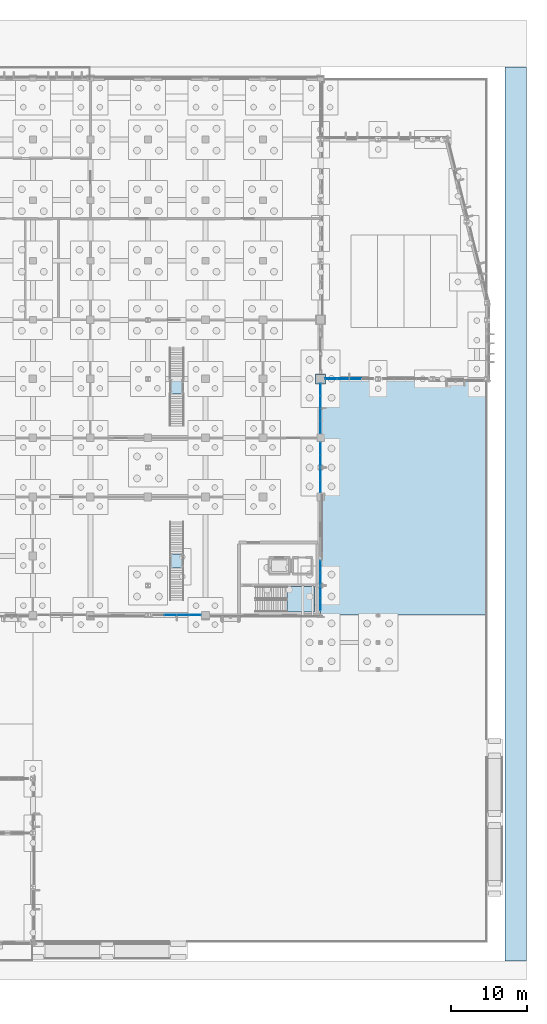
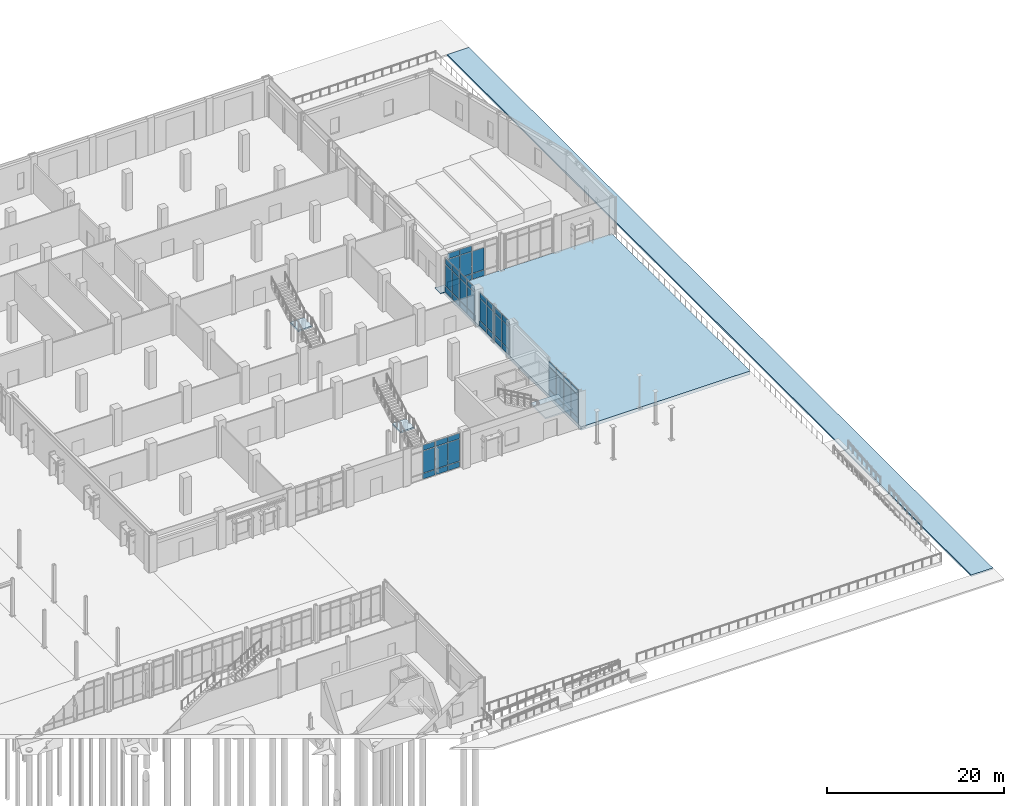
# One storey, part 57 of 94: 54 plates, 5 slabs, 13 elements without a shape of their own.
"""IFC4 building model written with IfcOpenShell, lengths in metres."""

from ifc_helpers import new_model, si_unit, direction, frame, origin, origin_2d, place, context, subcontext, project, spatial, polyline, rectangle, outline, extrude, material, layer, layer_set, type_object, element, aggregate, save


model = new_model("IFC4")

# Units and contexts
model_context = context("Model", 3, precision=1e-05, world=origin(), true_north=direction((0.0, 1.0)))
body_context = subcontext(model_context, "Body", "Model", "MODEL_VIEW")
ifc_project = project(units=[si_unit("LENGTHUNIT", "METRE"), si_unit("AREAUNIT", "SQUARE_METRE"), si_unit("VOLUMEUNIT", "CUBIC_METRE"), si_unit("PLANEANGLEUNIT", "RADIAN"), si_unit("MASSUNIT", "GRAM", prefix="KILO")], contexts=[model_context])

# Site, building, storey
site_placement = place(None, origin())
site = spatial("IfcSite", under=ifc_project, at=site_placement, CompositionType="ELEMENT")
building_placement = place(site_placement, origin())
building = spatial("IfcBuilding", under=site, at=building_placement, Name="Vervanel Yard Central Library", CompositionType="ELEMENT")
storey_placement = place(building_placement, origin())
storey = spatial("IfcBuildingStorey", under=building, at=storey_placement, Name="L00", CompositionType="ELEMENT", Elevation=0.0)

# Curtain wall, plates
ifc_material_1 = material(Name="Thermally broken anodized aluminium 6063-T6", Category="aluminium")
curtain_wall_type_1 = type_object("IfcCurtainWallType", Name="Auditorium Foyer Curtain Wall", PredefinedType="NOTDEFINED", material=ifc_material_1)
curtain_wall_1_placement = place(storey_placement, origin())
curtain_wall_1 = element("IfcCurtainWall", 1, at=curtain_wall_1_placement, inside=storey, type_object=curtain_wall_type_1, Name="L00 Auditorium Foyer Curtain Wall CWR-L00-148", PredefinedType="NOTDEFINED")
ifc_material_2 = material(Name="Double low-E laminated solar-control glass", Category="glass")
ifc_layer_1 = layer(ifc_material_2, 0.035888671875, Category="glass")
ifc_layer_set_1 = layer_set([ifc_layer_1], Name="Double low-E laminated solar-control glass")
plate_type_1 = type_object("IfcPlateType", Name="Auditorium Foyer Tinted Panel 36", PredefinedType="CURTAIN_PANEL", material=ifc_layer_set_1)
plate_1_placement = place(storey_placement, frame((147.38623046875, 74.39990234375, 0.88232421875), z_axis=(0.0, 0.0, 1.0), x_axis=(1.0, 0.0, 0.0)))
plate_1 = element("IfcPlate", 2, at=plate_1_placement, type_object=plate_type_1, Name="CWR-L00-148 Panel B1-2", PredefinedType="CURTAIN_PANEL", context=body_context, shape_type="SweptSolid", body=[
    extrude(rectangle(XDim=1.5224609375, YDim=0.035888671875, at=origin_2d()), origin(), (0.0, 0.0, 1.0), 3.014892578125),
])
plate_2_placement = place(storey_placement, frame((147.38623046875, 74.39990234375, 3.962646484375), z_axis=(0.0, 0.0, 1.0), x_axis=(1.0, 0.0, 0.0)))
plate_2 = element("IfcPlate", 3, at=plate_2_placement, type_object=plate_type_1, Name="CWR-L00-148 Panel B1-3", PredefinedType="CURTAIN_PANEL", context=body_context, shape_type="SweptSolid", body=[
    extrude(rectangle(XDim=1.5224609375, YDim=0.035888671875, at=origin_2d()), origin(), (0.0, 0.0, 1.0), 0.75244140625),
])
plate_3_placement = place(storey_placement, frame((148.9736328125, 74.39990234375, 0.88232421875), z_axis=(0.0, 0.0, 1.0), x_axis=(1.0, 0.0, 0.0)))
plate_3 = element("IfcPlate", 4, at=plate_3_placement, type_object=plate_type_1, Name="CWR-L00-148 Panel B2-2", PredefinedType="CURTAIN_PANEL", context=body_context, shape_type="SweptSolid", body=[
    extrude(rectangle(XDim=1.5224609375, YDim=0.035888671875, at=origin_2d()), origin(), (0.0, 0.0, 1.0), 3.014892578125),
])
plate_4_placement = place(storey_placement, frame((148.9736328125, 74.39990234375, 3.962646484375), z_axis=(0.0, 0.0, 1.0), x_axis=(1.0, 0.0, 0.0)))
plate_4 = element("IfcPlate", 5, at=plate_4_placement, type_object=plate_type_1, Name="CWR-L00-148 Panel B2-3", PredefinedType="CURTAIN_PANEL", context=body_context, shape_type="SweptSolid", body=[
    extrude(rectangle(XDim=1.5224609375, YDim=0.035888671875, at=origin_2d()), origin(), (0.0, 0.0, 1.0), 0.75244140625),
])

# Curtain wall, plate
curtain_wall_2_placement = place(storey_placement, origin())
curtain_wall_2 = element("IfcCurtainWall", 6, at=curtain_wall_2_placement, inside=storey, type_object=curtain_wall_type_1, Name="L00 Auditorium Foyer Curtain Wall CWR-L00-149", PredefinedType="NOTDEFINED")
plate_5_placement = place(storey_placement, frame((150.626220703125, 74.39990234375, 0.88232421875), z_axis=(0.0, 0.0, 1.0), x_axis=(1.0, 0.0, 0.0)))
plate_5 = element("IfcPlate", 7, at=plate_5_placement, type_object=plate_type_1, Name="CWR-L00-149 Panel B1-2", PredefinedType="CURTAIN_PANEL", context=body_context, shape_type="SweptSolid", body=[
    extrude(rectangle(XDim=1.5224609375, YDim=0.035888671875, at=origin_2d()), origin(), (0.0, 0.0, 1.0), 3.014892578125),
])

# Stair, slab
ifc_material_3 = material(Name="Concrete C40/50", Category="concrete")
stair_type_1 = type_object("IfcStairType", Name="Protected Core Dog-Leg Stair ST-05", PredefinedType="HALF_TURN_STAIR", material=ifc_material_3)
stair_1_placement = place(storey_placement, origin())
stair_1 = element("IfcStair", 8, at=stair_1_placement, inside=storey, type_object=stair_type_1, Name="L00 CORE-E Protected Exit Stair", PredefinedType="HALF_TURN_STAIR")
ifc_layer_2 = layer(ifc_material_3, 0.199951171875, Category="concrete")
ifc_layer_set_2 = layer_set([ifc_layer_2], Name="Concrete C40/50")
slab_type_1 = type_object("IfcSlabType", Name="Core Stair Concrete Landing Slab 200", PredefinedType="LANDING", material=ifc_layer_set_2)
slab_1_placement = place(storey_placement, frame((0.0, 0.0, 2.35009765625)))
slab_1 = element("IfcSlab", 9, at=slab_1_placement, type_object=slab_type_1, Name="ST-05 landing 1", PredefinedType="LANDING", context=body_context, shape_type="SweptSolid", body=[
    extrude(outline(polyline([(141.60009765625, 43.60009765625), (145.199951171875, 43.60009765625), (145.199951171875, 46.9599609375), (141.60009765625, 46.9599609375), (141.60009765625, 43.60009765625)])), origin(), (0.0, 0.0, 1.0), 0.199951171875),
])
aggregate(stair_1, [slab_1])

ifc_material_4 = material(Name="Concrete C45/55", Category="concrete")
stair_type_2 = type_object("IfcStairType", Name="Architectural Feature Straight Stair FS-ST-01", PredefinedType="STRAIGHT_RUN_STAIR", material=ifc_material_4)
stair_2_placement = place(storey_placement, origin())
stair_2 = element("IfcStair", 10, at=stair_2_placement, inside=storey, type_object=stair_type_2, Name="L00 Feature Stair FS-ST-01", PredefinedType="STRAIGHT_RUN_STAIR")
ifc_layer_3 = layer(ifc_material_4, 0.219970703125, Category="concrete")
ifc_layer_set_3 = layer_set([ifc_layer_3], Name="Concrete C45/55")
slab_type_2 = type_object("IfcSlabType", Name="Feature Stair Concrete Landing Slab 220", PredefinedType="LANDING", material=ifc_layer_set_3)
slab_2_placement = place(storey_placement, frame((0.0, 0.0, 2.330078125)))
slab_2 = element("IfcSlab", 11, at=slab_2_placement, type_object=slab_type_2, Name="FST-01-L00 Mid Landing 1", PredefinedType="LANDING", context=body_context, shape_type="SweptSolid", body=[
    extrude(outline(polyline([(126.10009765625, 49.39990234375), (127.89990234375, 49.39990234375), (127.89990234375, 51.300048828125), (126.10009765625, 51.300048828125), (126.10009765625, 49.39990234375)])), origin(), (0.0, 0.0, 1.0), 0.219970703125),
])
aggregate(stair_2, [slab_2])

stair_type_3 = type_object("IfcStairType", Name="Architectural Feature Straight Stair FS-ST-02", PredefinedType="STRAIGHT_RUN_STAIR", material=ifc_material_4)
stair_3_placement = place(storey_placement, origin())
stair_3 = element("IfcStair", 12, at=stair_3_placement, inside=storey, type_object=stair_type_3, Name="L00 Feature Stair FS-ST-02", PredefinedType="STRAIGHT_RUN_STAIR")
slab_3_placement = place(storey_placement, frame((0.0, 0.0, 2.330078125)))
slab_3 = element("IfcSlab", 13, at=slab_3_placement, type_object=slab_type_2, Name="FST-02-L00 Mid Landing 1", PredefinedType="LANDING", context=body_context, shape_type="SweptSolid", body=[
    extrude(outline(polyline([(126.080078125, 72.39990234375), (127.919921875, 72.39990234375), (127.919921875, 74.300048828125), (126.080078125, 74.300048828125), (126.080078125, 72.39990234375)])), origin(), (0.0, 0.0, 1.0), 0.219970703125),
])
aggregate(stair_3, [slab_3])

# Plate
ifc_material_5 = material(Name="Steel ASTM A572 Grade 50", Category="steel")
ifc_layer_4 = layer(ifc_material_5, 0.044921875, Category="steel")
ifc_layer_set_4 = layer_set([ifc_layer_4], Name="Steel ASTM A572 Grade 50")
plate_type_2 = type_object("IfcPlateType", Name="Mega-Column Base Plate 45", PredefinedType="SHEET", material=ifc_layer_set_4)
plate_6_placement = place(storey_placement, frame((146.0, 74.39990234375, 0.0), z_axis=(0.0, 0.0, 1.0), x_axis=(1.0, 0.0, 0.0)))
element("IfcPlate", 14, at=plate_6_placement, inside=storey, type_object=plate_type_2, Name="L00 Column Base Plate 45", PredefinedType="SHEET", context=body_context, shape_type="SweptSolid", body=[
    extrude(rectangle(XDim=1.300048828125, YDim=1.300048828125, at=origin_2d()), origin(), (0.0, 0.0, 1.0), 0.044921875),
])

# Curtain wall, plates
curtain_wall_type_2 = type_object("IfcCurtainWallType", Name="Reading Hall Full-Height Curtain Wall", PredefinedType="NOTDEFINED", material=ifc_material_1)
curtain_wall_3_placement = place(storey_placement, origin())
curtain_wall_3 = element("IfcCurtainWall", 15, at=curtain_wall_3_placement, inside=storey, type_object=curtain_wall_type_2, Name="L00 Reading Hall Full-Height Curtain Wall CWR-L00-058", PredefinedType="NOTDEFINED")
ifc_layer_5 = layer(ifc_material_2, 0.0380859375, Category="glass")
ifc_layer_set_5 = layer_set([ifc_layer_5], Name="Double low-E laminated solar-control glass")
plate_type_3 = type_object("IfcPlateType", Name="Reading Hall Acoustic Vision Panel 38", PredefinedType="CURTAIN_PANEL", material=ifc_layer_set_5)
plate_7_placement = place(storey_placement, frame((126.172607421875, 43.199951171875, 0.884765625), z_axis=(0.0, 0.0, 1.0), x_axis=(1.0, 0.0, 0.0)))
plate_7 = element("IfcPlate", 16, at=plate_7_placement, type_object=plate_type_3, Name="CWR-L00-058 Panel B2-2", PredefinedType="CURTAIN_PANEL", context=body_context, shape_type="SweptSolid", body=[
    extrude(rectangle(XDim=1.514892578125, YDim=0.0380859375, at=origin_2d()), origin(), (0.0, 0.0, 1.0), 3.010009765625),
])
plate_8_placement = place(storey_placement, frame((126.172607421875, 43.199951171875, 3.96484375), z_axis=(0.0, 0.0, 1.0), x_axis=(1.0, 0.0, 0.0)))
plate_8 = element("IfcPlate", 17, at=plate_8_placement, type_object=plate_type_3, Name="CWR-L00-058 Panel B2-3", PredefinedType="CURTAIN_PANEL", context=body_context, shape_type="SweptSolid", body=[
    extrude(rectangle(XDim=1.514892578125, YDim=0.0380859375, at=origin_2d()), origin(), (0.0, 0.0, 1.0), 0.7451171875),
])

curtain_wall_4_placement = place(storey_placement, origin())
curtain_wall_4 = element("IfcCurtainWall", 18, at=curtain_wall_4_placement, inside=storey, type_object=curtain_wall_type_2, Name="L00 Reading Hall Full-Height Curtain Wall CWR-L00-059", PredefinedType="NOTDEFINED")
plate_9_placement = place(storey_placement, frame((127.827392578125, 43.199951171875, 0.884765625), z_axis=(0.0, 0.0, 1.0), x_axis=(1.0, 0.0, 0.0)))
plate_9 = element("IfcPlate", 19, at=plate_9_placement, type_object=plate_type_3, Name="CWR-L00-059 Panel B1-2", PredefinedType="CURTAIN_PANEL", context=body_context, shape_type="SweptSolid", body=[
    extrude(rectangle(XDim=1.514892578125, YDim=0.0380859375, at=origin_2d()), origin(), (0.0, 0.0, 1.0), 3.010009765625),
])
plate_10_placement = place(storey_placement, frame((127.827392578125, 43.199951171875, 3.96484375), z_axis=(0.0, 0.0, 1.0), x_axis=(1.0, 0.0, 0.0)))
plate_10 = element("IfcPlate", 20, at=plate_10_placement, type_object=plate_type_3, Name="CWR-L00-059 Panel B1-3", PredefinedType="CURTAIN_PANEL", context=body_context, shape_type="SweptSolid", body=[
    extrude(rectangle(XDim=1.514892578125, YDim=0.0380859375, at=origin_2d()), origin(), (0.0, 0.0, 1.0), 0.7451171875),
])
plate_11_placement = place(storey_placement, frame((129.41259765625, 43.199951171875, 0.884765625), z_axis=(0.0, 0.0, 1.0), x_axis=(1.0, 0.0, 0.0)))
plate_11 = element("IfcPlate", 21, at=plate_11_placement, type_object=plate_type_3, Name="CWR-L00-059 Panel B2-2", PredefinedType="CURTAIN_PANEL", context=body_context, shape_type="SweptSolid", body=[
    extrude(rectangle(XDim=1.514892578125, YDim=0.0380859375, at=origin_2d()), origin(), (0.0, 0.0, 1.0), 3.010009765625),
])
plate_12_placement = place(storey_placement, frame((129.41259765625, 43.199951171875, 3.96484375), z_axis=(0.0, 0.0, 1.0), x_axis=(1.0, 0.0, 0.0)))
plate_12 = element("IfcPlate", 22, at=plate_12_placement, type_object=plate_type_3, Name="CWR-L00-059 Panel B2-3", PredefinedType="CURTAIN_PANEL", context=body_context, shape_type="SweptSolid", body=[
    extrude(rectangle(XDim=1.514892578125, YDim=0.0380859375, at=origin_2d()), origin(), (0.0, 0.0, 1.0), 0.7451171875),
])

curtain_wall_type_3 = type_object("IfcCurtainWallType", Name="Prow Cantilever Glazed Curtain Wall", PredefinedType="NOTDEFINED", material=ifc_material_1)
curtain_wall_5_placement = place(storey_placement, origin())
curtain_wall_5 = element("IfcCurtainWall", 23, at=curtain_wall_5_placement, inside=storey, type_object=curtain_wall_type_3, Name="L00 Prow Cantilever Glazed Curtain Wall CWR-L00-118", PredefinedType="NOTDEFINED")
plate_13_placement = place(storey_placement, frame((146.0, 44.612548828125, 0.884765625), z_axis=(0.0, 0.0, 1.0), x_axis=(0.0, 1.0, 0.0)))
plate_13 = element("IfcPlate", 24, at=plate_13_placement, type_object=plate_type_3, Name="CWR-L00-118 Panel B1-2", PredefinedType="CURTAIN_PANEL", context=body_context, shape_type="SweptSolid", body=[
    extrude(rectangle(XDim=1.56494140625, YDim=0.0380859375, at=origin_2d()), origin(), (0.0, 0.0, 1.0), 3.010009765625),
])
plate_14_placement = place(storey_placement, frame((146.0, 44.612548828125, 3.96484375), z_axis=(0.0, 0.0, 1.0), x_axis=(0.0, 1.0, 0.0)))
plate_14 = element("IfcPlate", 25, at=plate_14_placement, type_object=plate_type_3, Name="CWR-L00-118 Panel B1-3", PredefinedType="CURTAIN_PANEL", context=body_context, shape_type="SweptSolid", body=[
    extrude(rectangle(XDim=1.56494140625, YDim=0.0380859375, at=origin_2d()), origin(), (0.0, 0.0, 1.0), 0.7451171875),
])
plate_15_placement = place(storey_placement, frame((146.0, 46.24755859375, 0.884765625), z_axis=(0.0, 0.0, 1.0), x_axis=(0.0, 1.0, 0.0)))
plate_15 = element("IfcPlate", 26, at=plate_15_placement, type_object=plate_type_3, Name="CWR-L00-118 Panel B2-2", PredefinedType="CURTAIN_PANEL", context=body_context, shape_type="SweptSolid", body=[
    extrude(rectangle(XDim=1.56494140625, YDim=0.0380859375, at=origin_2d()), origin(), (0.0, 0.0, 1.0), 3.010009765625),
])
plate_16_placement = place(storey_placement, frame((146.0, 46.24755859375, 3.96484375), z_axis=(0.0, 0.0, 1.0), x_axis=(0.0, 1.0, 0.0)))
plate_16 = element("IfcPlate", 27, at=plate_16_placement, type_object=plate_type_3, Name="CWR-L00-118 Panel B2-3", PredefinedType="CURTAIN_PANEL", context=body_context, shape_type="SweptSolid", body=[
    extrude(rectangle(XDim=1.56494140625, YDim=0.0380859375, at=origin_2d()), origin(), (0.0, 0.0, 1.0), 0.7451171875),
])

curtain_wall_6_placement = place(storey_placement, origin())
curtain_wall_6 = element("IfcCurtainWall", 28, at=curtain_wall_6_placement, inside=storey, type_object=curtain_wall_type_3, Name="L00 Prow Cantilever Glazed Curtain Wall CWR-L00-119", PredefinedType="NOTDEFINED")
plate_17_placement = place(storey_placement, frame((146.0, 47.952392578125, 0.884765625), z_axis=(0.0, 0.0, 1.0), x_axis=(0.0, 1.0, 0.0)))
plate_17 = element("IfcPlate", 29, at=plate_17_placement, type_object=plate_type_3, Name="CWR-L00-119 Panel B1-2", PredefinedType="CURTAIN_PANEL", context=body_context, shape_type="SweptSolid", body=[
    extrude(rectangle(XDim=1.56494140625, YDim=0.0380859375, at=origin_2d()), origin(), (0.0, 0.0, 1.0), 3.010009765625),
])
plate_18_placement = place(storey_placement, frame((146.0, 47.952392578125, 3.96484375), z_axis=(0.0, 0.0, 1.0), x_axis=(0.0, 1.0, 0.0)))
plate_18 = element("IfcPlate", 30, at=plate_18_placement, type_object=plate_type_3, Name="CWR-L00-119 Panel B1-3", PredefinedType="CURTAIN_PANEL", context=body_context, shape_type="SweptSolid", body=[
    extrude(rectangle(XDim=1.56494140625, YDim=0.0380859375, at=origin_2d()), origin(), (0.0, 0.0, 1.0), 0.7451171875),
])
plate_19_placement = place(storey_placement, frame((146.0, 49.58740234375, 0.884765625), z_axis=(0.0, 0.0, 1.0), x_axis=(0.0, 1.0, 0.0)))
plate_19 = element("IfcPlate", 31, at=plate_19_placement, type_object=plate_type_3, Name="CWR-L00-119 Panel B2-2", PredefinedType="CURTAIN_PANEL", context=body_context, shape_type="SweptSolid", body=[
    extrude(rectangle(XDim=1.56494140625, YDim=0.0380859375, at=origin_2d()), origin(), (0.0, 0.0, 1.0), 3.010009765625),
])
plate_20_placement = place(storey_placement, frame((146.0, 49.58740234375, 3.96484375), z_axis=(0.0, 0.0, 1.0), x_axis=(0.0, 1.0, 0.0)))
plate_20 = element("IfcPlate", 32, at=plate_20_placement, type_object=plate_type_3, Name="CWR-L00-119 Panel B2-3", PredefinedType="CURTAIN_PANEL", context=body_context, shape_type="SweptSolid", body=[
    extrude(rectangle(XDim=1.56494140625, YDim=0.0380859375, at=origin_2d()), origin(), (0.0, 0.0, 1.0), 0.7451171875),
])

curtain_wall_7_placement = place(storey_placement, origin())
curtain_wall_7 = element("IfcCurtainWall", 33, at=curtain_wall_7_placement, inside=storey, type_object=curtain_wall_type_3, Name="L00 Prow Cantilever Glazed Curtain Wall CWR-L00-120", PredefinedType="NOTDEFINED")
plate_21_placement = place(storey_placement, frame((146.0, 60.21240234375, 0.884765625), z_axis=(0.0, 0.0, 1.0), x_axis=(0.0, 1.0, 0.0)))
plate_21 = element("IfcPlate", 34, at=plate_21_placement, type_object=plate_type_3, Name="CWR-L00-120 Panel B1-2", PredefinedType="CURTAIN_PANEL", context=body_context, shape_type="SweptSolid", body=[
    extrude(rectangle(XDim=1.56494140625, YDim=0.0380859375, at=origin_2d()), origin(), (0.0, 0.0, 1.0), 3.010009765625),
])
plate_22_placement = place(storey_placement, frame((146.0, 60.21240234375, 3.96484375), z_axis=(0.0, 0.0, 1.0), x_axis=(0.0, 1.0, 0.0)))
plate_22 = element("IfcPlate", 35, at=plate_22_placement, type_object=plate_type_3, Name="CWR-L00-120 Panel B1-3", PredefinedType="CURTAIN_PANEL", context=body_context, shape_type="SweptSolid", body=[
    extrude(rectangle(XDim=1.56494140625, YDim=0.0380859375, at=origin_2d()), origin(), (0.0, 0.0, 1.0), 0.7451171875),
])
plate_23_placement = place(storey_placement, frame((146.0, 61.847412109375, 0.884765625), z_axis=(0.0, 0.0, 1.0), x_axis=(0.0, 1.0, 0.0)))
plate_23 = element("IfcPlate", 36, at=plate_23_placement, type_object=plate_type_3, Name="CWR-L00-120 Panel B2-2", PredefinedType="CURTAIN_PANEL", context=body_context, shape_type="SweptSolid", body=[
    extrude(rectangle(XDim=1.56494140625, YDim=0.0380859375, at=origin_2d()), origin(), (0.0, 0.0, 1.0), 3.010009765625),
])
plate_24_placement = place(storey_placement, frame((146.0, 61.847412109375, 3.96484375), z_axis=(0.0, 0.0, 1.0), x_axis=(0.0, 1.0, 0.0)))
plate_24 = element("IfcPlate", 37, at=plate_24_placement, type_object=plate_type_3, Name="CWR-L00-120 Panel B2-3", PredefinedType="CURTAIN_PANEL", context=body_context, shape_type="SweptSolid", body=[
    extrude(rectangle(XDim=1.56494140625, YDim=0.0380859375, at=origin_2d()), origin(), (0.0, 0.0, 1.0), 0.7451171875),
])

curtain_wall_8_placement = place(storey_placement, origin())
curtain_wall_8 = element("IfcCurtainWall", 38, at=curtain_wall_8_placement, inside=storey, type_object=curtain_wall_type_3, Name="L00 Prow Cantilever Glazed Curtain Wall CWR-L00-121", PredefinedType="NOTDEFINED")
plate_25_placement = place(storey_placement, frame((146.0, 63.552490234375, 0.884765625), z_axis=(0.0, 0.0, 1.0), x_axis=(0.0, 1.0, 0.0)))
plate_25 = element("IfcPlate", 39, at=plate_25_placement, type_object=plate_type_3, Name="CWR-L00-121 Panel B1-2", PredefinedType="CURTAIN_PANEL", context=body_context, shape_type="SweptSolid", body=[
    extrude(rectangle(XDim=1.56494140625, YDim=0.0380859375, at=origin_2d()), origin(), (0.0, 0.0, 1.0), 3.010009765625),
])
plate_26_placement = place(storey_placement, frame((146.0, 63.552490234375, 3.96484375), z_axis=(0.0, 0.0, 1.0), x_axis=(0.0, 1.0, 0.0)))
plate_26 = element("IfcPlate", 40, at=plate_26_placement, type_object=plate_type_3, Name="CWR-L00-121 Panel B1-3", PredefinedType="CURTAIN_PANEL", context=body_context, shape_type="SweptSolid", body=[
    extrude(rectangle(XDim=1.56494140625, YDim=0.0380859375, at=origin_2d()), origin(), (0.0, 0.0, 1.0), 0.7451171875),
])
plate_27_placement = place(storey_placement, frame((146.0, 65.1875, 0.884765625), z_axis=(0.0, 0.0, 1.0), x_axis=(0.0, 1.0, 0.0)))
plate_27 = element("IfcPlate", 41, at=plate_27_placement, type_object=plate_type_3, Name="CWR-L00-121 Panel B2-2", PredefinedType="CURTAIN_PANEL", context=body_context, shape_type="SweptSolid", body=[
    extrude(rectangle(XDim=1.56494140625, YDim=0.0380859375, at=origin_2d()), origin(), (0.0, 0.0, 1.0), 3.010009765625),
])
plate_28_placement = place(storey_placement, frame((146.0, 65.1875, 3.96484375), z_axis=(0.0, 0.0, 1.0), x_axis=(0.0, 1.0, 0.0)))
plate_28 = element("IfcPlate", 42, at=plate_28_placement, type_object=plate_type_3, Name="CWR-L00-121 Panel B2-3", PredefinedType="CURTAIN_PANEL", context=body_context, shape_type="SweptSolid", body=[
    extrude(rectangle(XDim=1.56494140625, YDim=0.0380859375, at=origin_2d()), origin(), (0.0, 0.0, 1.0), 0.7451171875),
])

curtain_wall_9_placement = place(storey_placement, origin())
curtain_wall_9 = element("IfcCurtainWall", 43, at=curtain_wall_9_placement, inside=storey, type_object=curtain_wall_type_3, Name="L00 Prow Cantilever Glazed Curtain Wall CWR-L00-122", PredefinedType="NOTDEFINED")
plate_29_placement = place(storey_placement, frame((146.0, 68.012451171875, 0.884765625), z_axis=(0.0, 0.0, 1.0), x_axis=(0.0, 1.0, 0.0)))
plate_29 = element("IfcPlate", 44, at=plate_29_placement, type_object=plate_type_3, Name="CWR-L00-122 Panel B1-2", PredefinedType="CURTAIN_PANEL", context=body_context, shape_type="SweptSolid", body=[
    extrude(rectangle(XDim=1.56494140625, YDim=0.0380859375, at=origin_2d()), origin(), (0.0, 0.0, 1.0), 3.010009765625),
])
plate_30_placement = place(storey_placement, frame((146.0, 68.012451171875, 3.96484375), z_axis=(0.0, 0.0, 1.0), x_axis=(0.0, 1.0, 0.0)))
plate_30 = element("IfcPlate", 45, at=plate_30_placement, type_object=plate_type_3, Name="CWR-L00-122 Panel B1-3", PredefinedType="CURTAIN_PANEL", context=body_context, shape_type="SweptSolid", body=[
    extrude(rectangle(XDim=1.56494140625, YDim=0.0380859375, at=origin_2d()), origin(), (0.0, 0.0, 1.0), 0.7451171875),
])
plate_31_placement = place(storey_placement, frame((146.0, 69.6474609375, 0.884765625), z_axis=(0.0, 0.0, 1.0), x_axis=(0.0, 1.0, 0.0)))
plate_31 = element("IfcPlate", 46, at=plate_31_placement, type_object=plate_type_3, Name="CWR-L00-122 Panel B2-2", PredefinedType="CURTAIN_PANEL", context=body_context, shape_type="SweptSolid", body=[
    extrude(rectangle(XDim=1.56494140625, YDim=0.0380859375, at=origin_2d()), origin(), (0.0, 0.0, 1.0), 3.010009765625),
])
plate_32_placement = place(storey_placement, frame((146.0, 69.6474609375, 3.96484375), z_axis=(0.0, 0.0, 1.0), x_axis=(0.0, 1.0, 0.0)))
plate_32 = element("IfcPlate", 47, at=plate_32_placement, type_object=plate_type_3, Name="CWR-L00-122 Panel B2-3", PredefinedType="CURTAIN_PANEL", context=body_context, shape_type="SweptSolid", body=[
    extrude(rectangle(XDim=1.56494140625, YDim=0.0380859375, at=origin_2d()), origin(), (0.0, 0.0, 1.0), 0.7451171875),
])

curtain_wall_10_placement = place(storey_placement, origin())
curtain_wall_10 = element("IfcCurtainWall", 48, at=curtain_wall_10_placement, inside=storey, type_object=curtain_wall_type_3, Name="L00 Prow Cantilever Glazed Curtain Wall CWR-L00-123", PredefinedType="NOTDEFINED")
plate_33_placement = place(storey_placement, frame((146.0, 71.3525390625, 0.884765625), z_axis=(0.0, 0.0, 1.0), x_axis=(0.0, 1.0, 0.0)))
plate_33 = element("IfcPlate", 49, at=plate_33_placement, type_object=plate_type_3, Name="CWR-L00-123 Panel B1-2", PredefinedType="CURTAIN_PANEL", context=body_context, shape_type="SweptSolid", body=[
    extrude(rectangle(XDim=1.56494140625, YDim=0.0380859375, at=origin_2d()), origin(), (0.0, 0.0, 1.0), 3.010009765625),
])
plate_34_placement = place(storey_placement, frame((146.0, 71.3525390625, 3.96484375), z_axis=(0.0, 0.0, 1.0), x_axis=(0.0, 1.0, 0.0)))
plate_34 = element("IfcPlate", 50, at=plate_34_placement, type_object=plate_type_3, Name="CWR-L00-123 Panel B1-3", PredefinedType="CURTAIN_PANEL", context=body_context, shape_type="SweptSolid", body=[
    extrude(rectangle(XDim=1.56494140625, YDim=0.0380859375, at=origin_2d()), origin(), (0.0, 0.0, 1.0), 0.7451171875),
])
plate_35_placement = place(storey_placement, frame((146.0, 72.987548828125, 0.884765625), z_axis=(0.0, 0.0, 1.0), x_axis=(0.0, 1.0, 0.0)))
plate_35 = element("IfcPlate", 51, at=plate_35_placement, type_object=plate_type_3, Name="CWR-L00-123 Panel B2-2", PredefinedType="CURTAIN_PANEL", context=body_context, shape_type="SweptSolid", body=[
    extrude(rectangle(XDim=1.56494140625, YDim=0.0380859375, at=origin_2d()), origin(), (0.0, 0.0, 1.0), 3.010009765625),
])
plate_36_placement = place(storey_placement, frame((146.0, 72.987548828125, 3.96484375), z_axis=(0.0, 0.0, 1.0), x_axis=(0.0, 1.0, 0.0)))
plate_36 = element("IfcPlate", 52, at=plate_36_placement, type_object=plate_type_3, Name="CWR-L00-123 Panel B2-3", PredefinedType="CURTAIN_PANEL", context=body_context, shape_type="SweptSolid", body=[
    extrude(rectangle(XDim=1.56494140625, YDim=0.0380859375, at=origin_2d()), origin(), (0.0, 0.0, 1.0), 0.7451171875),
])

# Plate
ifc_material_6 = material(Name="Insulated bronze aluminium spandrel panel", Category="aluminium")
ifc_layer_6 = layer(ifc_material_6, 0.094970703125, Category="aluminium")
ifc_layer_set_6 = layer_set([ifc_layer_6], Name="Insulated bronze aluminium spandrel panel")
plate_type_4 = type_object("IfcPlateType", Name="Reading Hall Shadow-Box Spandrel 95", PredefinedType="CURTAIN_PANEL", material=ifc_layer_set_6)
plate_37_placement = place(storey_placement, frame((126.172607421875, 43.199951171875, 0.06982421875), z_axis=(0.0, 0.0, 1.0), x_axis=(1.0, 0.0, 0.0)))
plate_37 = element("IfcPlate", 53, at=plate_37_placement, type_object=plate_type_4, Name="CWR-L00-058 Panel B2-1", PredefinedType="CURTAIN_PANEL", context=body_context, shape_type="SweptSolid", body=[
    extrude(rectangle(XDim=1.514892578125, YDim=0.094970703125, at=origin_2d()), origin(), (0.0, 0.0, 1.0), 0.7451171875),
])

aggregate(curtain_wall_3, [plate_37, plate_7, plate_8])

plate_38_placement = place(storey_placement, frame((127.827392578125, 43.199951171875, 0.06982421875), z_axis=(0.0, 0.0, 1.0), x_axis=(1.0, 0.0, 0.0)))
plate_38 = element("IfcPlate", 54, at=plate_38_placement, type_object=plate_type_4, Name="CWR-L00-059 Panel B1-1", PredefinedType="CURTAIN_PANEL", context=body_context, shape_type="SweptSolid", body=[
    extrude(rectangle(XDim=1.514892578125, YDim=0.094970703125, at=origin_2d()), origin(), (0.0, 0.0, 1.0), 0.7451171875),
])

plate_39_placement = place(storey_placement, frame((129.41259765625, 43.199951171875, 0.06982421875), z_axis=(0.0, 0.0, 1.0), x_axis=(1.0, 0.0, 0.0)))
plate_39 = element("IfcPlate", 55, at=plate_39_placement, type_object=plate_type_4, Name="CWR-L00-059 Panel B2-1", PredefinedType="CURTAIN_PANEL", context=body_context, shape_type="SweptSolid", body=[
    extrude(rectangle(XDim=1.514892578125, YDim=0.094970703125, at=origin_2d()), origin(), (0.0, 0.0, 1.0), 0.7451171875),
])

aggregate(curtain_wall_4, [plate_38, plate_9, plate_10, plate_39, plate_11, plate_12])

plate_40_placement = place(storey_placement, frame((146.0, 44.612548828125, 0.06982421875), z_axis=(0.0, 0.0, 1.0), x_axis=(0.0, 1.0, 0.0)))
plate_40 = element("IfcPlate", 56, at=plate_40_placement, type_object=plate_type_4, Name="CWR-L00-118 Panel B1-1", PredefinedType="CURTAIN_PANEL", context=body_context, shape_type="SweptSolid", body=[
    extrude(rectangle(XDim=1.56494140625, YDim=0.094970703125, at=origin_2d()), origin(), (0.0, 0.0, 1.0), 0.7451171875),
])

plate_41_placement = place(storey_placement, frame((146.0, 46.24755859375, 0.06982421875), z_axis=(0.0, 0.0, 1.0), x_axis=(0.0, 1.0, 0.0)))
plate_41 = element("IfcPlate", 57, at=plate_41_placement, type_object=plate_type_4, Name="CWR-L00-118 Panel B2-1", PredefinedType="CURTAIN_PANEL", context=body_context, shape_type="SweptSolid", body=[
    extrude(rectangle(XDim=1.56494140625, YDim=0.094970703125, at=origin_2d()), origin(), (0.0, 0.0, 1.0), 0.7451171875),
])

aggregate(curtain_wall_5, [plate_40, plate_13, plate_14, plate_41, plate_15, plate_16])

plate_42_placement = place(storey_placement, frame((146.0, 47.952392578125, 0.06982421875), z_axis=(0.0, 0.0, 1.0), x_axis=(0.0, 1.0, 0.0)))
plate_42 = element("IfcPlate", 58, at=plate_42_placement, type_object=plate_type_4, Name="CWR-L00-119 Panel B1-1", PredefinedType="CURTAIN_PANEL", context=body_context, shape_type="SweptSolid", body=[
    extrude(rectangle(XDim=1.56494140625, YDim=0.094970703125, at=origin_2d()), origin(), (0.0, 0.0, 1.0), 0.7451171875),
])

plate_43_placement = place(storey_placement, frame((146.0, 49.58740234375, 0.06982421875), z_axis=(0.0, 0.0, 1.0), x_axis=(0.0, 1.0, 0.0)))
plate_43 = element("IfcPlate", 59, at=plate_43_placement, type_object=plate_type_4, Name="CWR-L00-119 Panel B2-1", PredefinedType="CURTAIN_PANEL", context=body_context, shape_type="SweptSolid", body=[
    extrude(rectangle(XDim=1.56494140625, YDim=0.094970703125, at=origin_2d()), origin(), (0.0, 0.0, 1.0), 0.7451171875),
])

aggregate(curtain_wall_6, [plate_42, plate_17, plate_18, plate_43, plate_19, plate_20])

plate_44_placement = place(storey_placement, frame((146.0, 60.21240234375, 0.06982421875), z_axis=(0.0, 0.0, 1.0), x_axis=(0.0, 1.0, 0.0)))
plate_44 = element("IfcPlate", 60, at=plate_44_placement, type_object=plate_type_4, Name="CWR-L00-120 Panel B1-1", PredefinedType="CURTAIN_PANEL", context=body_context, shape_type="SweptSolid", body=[
    extrude(rectangle(XDim=1.56494140625, YDim=0.094970703125, at=origin_2d()), origin(), (0.0, 0.0, 1.0), 0.7451171875),
])

plate_45_placement = place(storey_placement, frame((146.0, 61.847412109375, 0.06982421875), z_axis=(0.0, 0.0, 1.0), x_axis=(0.0, 1.0, 0.0)))
plate_45 = element("IfcPlate", 61, at=plate_45_placement, type_object=plate_type_4, Name="CWR-L00-120 Panel B2-1", PredefinedType="CURTAIN_PANEL", context=body_context, shape_type="SweptSolid", body=[
    extrude(rectangle(XDim=1.56494140625, YDim=0.094970703125, at=origin_2d()), origin(), (0.0, 0.0, 1.0), 0.7451171875),
])

aggregate(curtain_wall_7, [plate_44, plate_21, plate_22, plate_45, plate_23, plate_24])

plate_46_placement = place(storey_placement, frame((146.0, 63.552490234375, 0.06982421875), z_axis=(0.0, 0.0, 1.0), x_axis=(0.0, 1.0, 0.0)))
plate_46 = element("IfcPlate", 62, at=plate_46_placement, type_object=plate_type_4, Name="CWR-L00-121 Panel B1-1", PredefinedType="CURTAIN_PANEL", context=body_context, shape_type="SweptSolid", body=[
    extrude(rectangle(XDim=1.56494140625, YDim=0.094970703125, at=origin_2d()), origin(), (0.0, 0.0, 1.0), 0.7451171875),
])

plate_47_placement = place(storey_placement, frame((146.0, 65.1875, 0.06982421875), z_axis=(0.0, 0.0, 1.0), x_axis=(0.0, 1.0, 0.0)))
plate_47 = element("IfcPlate", 63, at=plate_47_placement, type_object=plate_type_4, Name="CWR-L00-121 Panel B2-1", PredefinedType="CURTAIN_PANEL", context=body_context, shape_type="SweptSolid", body=[
    extrude(rectangle(XDim=1.56494140625, YDim=0.094970703125, at=origin_2d()), origin(), (0.0, 0.0, 1.0), 0.7451171875),
])

aggregate(curtain_wall_8, [plate_46, plate_25, plate_26, plate_47, plate_27, plate_28])

plate_48_placement = place(storey_placement, frame((146.0, 68.012451171875, 0.06982421875), z_axis=(0.0, 0.0, 1.0), x_axis=(0.0, 1.0, 0.0)))
plate_48 = element("IfcPlate", 64, at=plate_48_placement, type_object=plate_type_4, Name="CWR-L00-122 Panel B1-1", PredefinedType="CURTAIN_PANEL", context=body_context, shape_type="SweptSolid", body=[
    extrude(rectangle(XDim=1.56494140625, YDim=0.094970703125, at=origin_2d()), origin(), (0.0, 0.0, 1.0), 0.7451171875),
])

plate_49_placement = place(storey_placement, frame((146.0, 69.6474609375, 0.06982421875), z_axis=(0.0, 0.0, 1.0), x_axis=(0.0, 1.0, 0.0)))
plate_49 = element("IfcPlate", 65, at=plate_49_placement, type_object=plate_type_4, Name="CWR-L00-122 Panel B2-1", PredefinedType="CURTAIN_PANEL", context=body_context, shape_type="SweptSolid", body=[
    extrude(rectangle(XDim=1.56494140625, YDim=0.094970703125, at=origin_2d()), origin(), (0.0, 0.0, 1.0), 0.7451171875),
])

aggregate(curtain_wall_9, [plate_48, plate_29, plate_30, plate_49, plate_31, plate_32])

plate_50_placement = place(storey_placement, frame((146.0, 71.3525390625, 0.06982421875), z_axis=(0.0, 0.0, 1.0), x_axis=(0.0, 1.0, 0.0)))
plate_50 = element("IfcPlate", 66, at=plate_50_placement, type_object=plate_type_4, Name="CWR-L00-123 Panel B1-1", PredefinedType="CURTAIN_PANEL", context=body_context, shape_type="SweptSolid", body=[
    extrude(rectangle(XDim=1.56494140625, YDim=0.094970703125, at=origin_2d()), origin(), (0.0, 0.0, 1.0), 0.7451171875),
])

plate_51_placement = place(storey_placement, frame((146.0, 72.987548828125, 0.06982421875), z_axis=(0.0, 0.0, 1.0), x_axis=(0.0, 1.0, 0.0)))
plate_51 = element("IfcPlate", 67, at=plate_51_placement, type_object=plate_type_4, Name="CWR-L00-123 Panel B2-1", PredefinedType="CURTAIN_PANEL", context=body_context, shape_type="SweptSolid", body=[
    extrude(rectangle(XDim=1.56494140625, YDim=0.094970703125, at=origin_2d()), origin(), (0.0, 0.0, 1.0), 0.7451171875),
])

aggregate(curtain_wall_10, [plate_50, plate_33, plate_34, plate_51, plate_35, plate_36])

ifc_layer_7 = layer(ifc_material_6, 0.110107421875, Category="aluminium")
ifc_layer_set_7 = layer_set([ifc_layer_7], Name="Insulated bronze aluminium spandrel panel")
plate_type_5 = type_object("IfcPlateType", Name="Slab-Edge Fire-Stop Spandrel 110", PredefinedType="CURTAIN_PANEL", material=ifc_layer_set_7)
plate_52_placement = place(storey_placement, frame((147.38623046875, 74.39990234375, 0.06494140625), z_axis=(0.0, 0.0, 1.0), x_axis=(1.0, 0.0, 0.0)))
plate_52 = element("IfcPlate", 68, at=plate_52_placement, type_object=plate_type_5, Name="CWR-L00-148 Panel B1-1", PredefinedType="CURTAIN_PANEL", context=body_context, shape_type="SweptSolid", body=[
    extrude(rectangle(XDim=1.5224609375, YDim=0.110107421875, at=origin_2d()), origin(), (0.0, 0.0, 1.0), 0.75244140625),
])

plate_53_placement = place(storey_placement, frame((148.9736328125, 74.39990234375, 0.06494140625), z_axis=(0.0, 0.0, 1.0), x_axis=(1.0, 0.0, 0.0)))
plate_53 = element("IfcPlate", 69, at=plate_53_placement, type_object=plate_type_5, Name="CWR-L00-148 Panel B2-1", PredefinedType="CURTAIN_PANEL", context=body_context, shape_type="SweptSolid", body=[
    extrude(rectangle(XDim=1.5224609375, YDim=0.110107421875, at=origin_2d()), origin(), (0.0, 0.0, 1.0), 0.75244140625),
])

aggregate(curtain_wall_1, [plate_52, plate_1, plate_2, plate_53, plate_3, plate_4])

plate_54_placement = place(storey_placement, frame((150.626220703125, 74.39990234375, 0.06494140625), z_axis=(0.0, 0.0, 1.0), x_axis=(1.0, 0.0, 0.0)))
plate_54 = element("IfcPlate", 70, at=plate_54_placement, type_object=plate_type_5, Name="CWR-L00-149 Panel B1-1", PredefinedType="CURTAIN_PANEL", context=body_context, shape_type="SweptSolid", body=[
    extrude(rectangle(XDim=1.5224609375, YDim=0.110107421875, at=origin_2d()), origin(), (0.0, 0.0, 1.0), 0.75244140625),
])

aggregate(curtain_wall_2, [plate_54, plate_5])

# Slabs
ifc_layer_8 = layer(ifc_material_3, 0.4599609375, Category="concrete")
ifc_layer_set_8 = layer_set([ifc_layer_8], Name="Concrete C40/50")
slab_type_3 = type_object("IfcSlabType", Name="Southeast Forecourt Plinth Slab 460", PredefinedType="FLOOR", material=ifc_layer_set_8)
slab_4_placement = place(storey_placement, frame((0.0, 0.0, -0.4599609375)))
element("IfcSlab", 71, at=slab_4_placement, inside=storey, type_object=slab_type_3, Name="Prow Covered Civic Forecourt Terrace", PredefinedType="FLOOR", context=body_context, shape_type="SweptSolid", body=[
    extrude(outline(polyline([(146.0, 43.199951171875), (168.0, 43.199951171875), (168.0, 74.39990234375), (146.0, 74.39990234375), (146.0, 43.199951171875)])), origin(), (0.0, 0.0, 1.0), 0.4599609375),
])
ifc_layer_9 = layer(ifc_material_3, 0.219970703125, Category="concrete")
ifc_layer_set_9 = layer_set([ifc_layer_9], Name="Concrete C40/50")
slab_type_4 = type_object("IfcSlabType", Name="Street Grade Concrete Apron 220", PredefinedType="FLOOR", material=ifc_layer_set_9)
slab_5_placement = place(storey_placement, frame((0.0, 0.0, -1.419921875)))
element("IfcSlab", 72, at=slab_5_placement, inside=storey, type_object=slab_type_4, Name="East Avenue Street Apron", PredefinedType="FLOOR", context=body_context, shape_type="SweptSolid", body=[
    extrude(outline(polyline([(170.3798828125, -2.5), (173.199951171875, -2.5), (173.199951171875, 115.60009765625), (170.3798828125, 115.60009765625), (170.3798828125, -2.5)])), origin(), (0.0, 0.0, 1.0), 0.219970703125),
])

save(model, "model.ifc")
